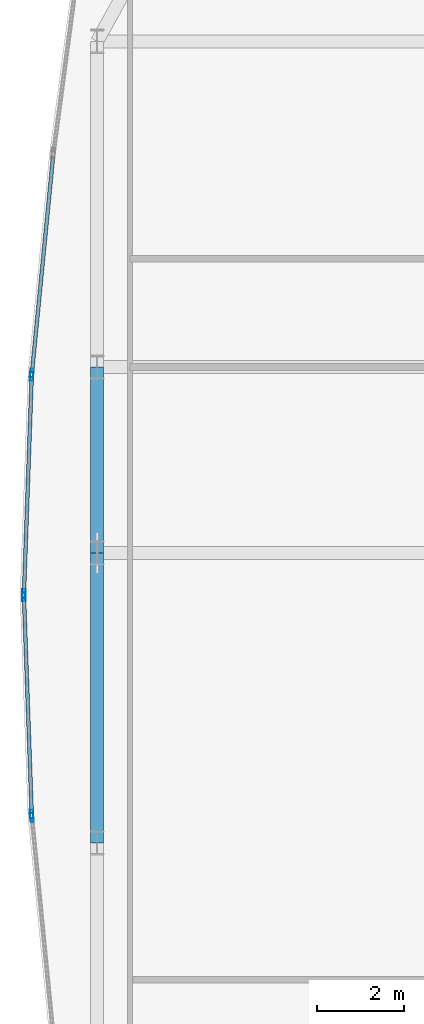
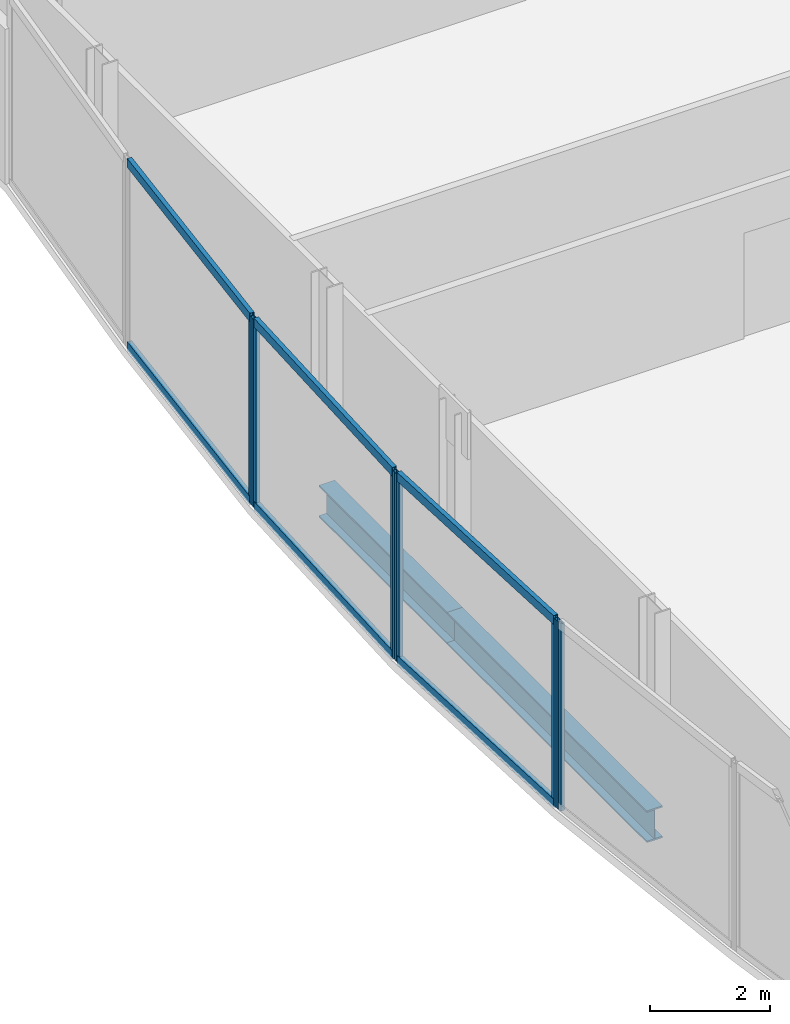
# One storey, part 10 of 35: 12 members, 2 beams, 4 elements without a shape of their own.
"""IFC4 building model written with IfcOpenShell, lengths in metres."""

from ifc_helpers import new_model, si_unit, direction, frame, origin, origin_2d, place, context, subcontext, project, spatial, hollow_rectangle, i_section, extrude, material, material_profile, profile_set, type_object, element, aggregate, save


model = new_model("IFC4")

# Units and contexts
model_context = context("Model", 3, precision=1e-05, world=origin(), true_north=direction((0.0, 1.0)))
body_context = subcontext(model_context, "Body", "Model", "MODEL_VIEW")
ifc_project = project(units=[si_unit("LENGTHUNIT", "METRE"), si_unit("AREAUNIT", "SQUARE_METRE"), si_unit("VOLUMEUNIT", "CUBIC_METRE"), si_unit("PLANEANGLEUNIT", "RADIAN"), si_unit("MASSUNIT", "GRAM", prefix="KILO")], contexts=[model_context])

# Site, building, storey
site_placement = place(None, origin())
site = spatial("IfcSite", under=ifc_project, at=site_placement, CompositionType="ELEMENT")
building_placement = place(site_placement, origin())
building = spatial("IfcBuilding", under=site, at=building_placement, Name="Khoronbel Lancet Exchange", CompositionType="ELEMENT")
storey_placement = place(building_placement, frame((0.0, 0.0, 69.800048828125)))
storey = spatial("IfcBuildingStorey", under=building, at=storey_placement, Name="L16", CompositionType="ELEMENT", Elevation=69.800048828125)

# Beams
ifc_material_1 = material(Name="Steel S355", Category="steel")
ifc_material_profile_1 = material_profile(ifc_material_1, i_section(OverallWidth=0.300048828125, OverallDepth=0.64990234375, WebThickness=0.01611328125, FlangeThickness=0.031005859375, at=origin_2d()), Name="HEB 650")
ifc_profile_set_1 = profile_set([ifc_material_profile_1], Name="Steel S355")
beam_type = type_object("IfcBeamType", Name="BM-BSP1", PredefinedType="SPANDREL", material=ifc_profile_set_1)
beam_1_placement = place(storey_placement, frame((1.27001953125, 35.699951171875, -0.505126953125), z_axis=(0.0, -1.0, 0.0), x_axis=(1.0, 0.0, 0.0)))
element("IfcBeam", 1, at=beam_1_placement, inside=storey, type_object=beam_type, Name="Level L16 perimeter spandrel beam SP18", PredefinedType="SPANDREL", context=body_context, shape_type="SweptSolid", body=[
    extrude(i_section(OverallWidth=0.300048828125, OverallDepth=0.64990234375, WebThickness=0.01611328125, FlangeThickness=0.031005859375, at=origin_2d()), origin(), (0.0, 0.0, 1.0), 4.27490234375),
])
beam_2_placement = place(storey_placement, frame((1.27001953125, 31.425048828125, -0.505126953125), z_axis=(0.0, -1.0, 0.0), x_axis=(1.0, 0.0, 0.0)))
element("IfcBeam", 2, at=beam_2_placement, inside=storey, type_object=beam_type, Name="Level L16 perimeter spandrel beam SP19", PredefinedType="SPANDREL", context=body_context, shape_type="SweptSolid", body=[
    extrude(i_section(OverallWidth=0.300048828125, OverallDepth=0.64990234375, WebThickness=0.01611328125, FlangeThickness=0.031005859375, at=origin_2d()), origin(), (0.0, 0.0, 1.0), 6.675048828125),
])

# Curtain wall, member
ifc_material_2 = material(Name="Low-E Solar Control Insulating Glass", Category="glass")
curtain_wall_type = type_object("IfcCurtainWallType", Name="CW-4", PredefinedType="NOTDEFINED", material=ifc_material_2)
curtain_wall_1_placement = place(storey_placement, origin())
curtain_wall_1 = element("IfcCurtainWall", 3, at=curtain_wall_1_placement, inside=storey, type_object=curtain_wall_type, Name="Unitised curtain wall CW-L16-E05", PredefinedType="NOTDEFINED")
ifc_material_3 = material(Name="Bronze-Anodised Aluminium 6063-T6", Category="aluminium")
ifc_material_profile_2 = material_profile(ifc_material_3, hollow_rectangle(XDim=0.074951171875, YDim=0.199951171875, WallThickness=0.0048828125, at=origin_2d()), Name="ALU MULLION 75x200")
ifc_profile_set_2 = profile_set([ifc_material_profile_2], Name="Bronze-Anodised Aluminium 6063-T6")
member_type_1 = type_object("IfcMemberType", Name="MEM-CWM2", PredefinedType="MULLION", material=ifc_profile_set_2)
member_1_placement = place(storey_placement, frame((-0.23046875, 25.33544921875, 0.0), z_axis=(0.0, 0.0, 1.0), x_axis=(-0.995271261573, -0.097134524689, 0.0)))
member_1 = element("IfcMember", 4, at=member_1_placement, type_object=member_type_1, Name="CW4 mullion 2", PredefinedType="MULLION", context=body_context, shape_type="SweptSolid", body=[
    extrude(hollow_rectangle(XDim=0.074951171875, YDim=0.199951171875, WallThickness=0.0048828125, at=origin_2d()), origin(), (0.0, 0.0, 1.0), 3.820068359375),
])
aggregate(curtain_wall_1, [member_1])

# Curtain wall, members
curtain_wall_2_placement = place(storey_placement, origin())
curtain_wall_2 = element("IfcCurtainWall", 5, at=curtain_wall_2_placement, inside=storey, type_object=curtain_wall_type, Name="Unitised curtain wall CW-L16-E06", PredefinedType="NOTDEFINED")
member_2_placement = place(storey_placement, frame((-0.2353515625, 25.41015625, 0.0), z_axis=(0.0, 0.0, 1.0), x_axis=(-0.999363079992, -0.035685211912, 0.0)))
member_2 = element("IfcMember", 6, at=member_2_placement, type_object=member_type_1, Name="CW4 mullion 1", PredefinedType="MULLION", context=body_context, shape_type="SweptSolid", body=[
    extrude(hollow_rectangle(XDim=0.074951171875, YDim=0.199951171875, WallThickness=0.0048828125, at=origin_2d()), origin(), (0.0, 0.0, 1.0), 3.820068359375),
])
member_3_placement = place(storey_placement, frame((-0.4140625, 30.41259765625, 0.0), z_axis=(0.0, 0.0, 1.0), x_axis=(-0.999363079992, -0.035685211912, 0.0)))
member_3 = element("IfcMember", 7, at=member_3_placement, type_object=member_type_1, Name="CW4 mullion 2", PredefinedType="MULLION", context=body_context, shape_type="SweptSolid", body=[
    extrude(hollow_rectangle(XDim=0.074951171875, YDim=0.199951171875, WallThickness=0.0048828125, at=origin_2d()), origin(), (0.0, 0.0, 1.0), 3.820068359375),
])

curtain_wall_3_placement = place(storey_placement, origin())
curtain_wall_3 = element("IfcCurtainWall", 8, at=curtain_wall_3_placement, inside=storey, type_object=curtain_wall_type, Name="Unitised curtain wall CW-L16-E07", PredefinedType="NOTDEFINED")
member_4_placement = place(storey_placement, frame((-0.4140625, 30.487548828125, 0.0), z_axis=(0.0, 0.0, 1.0), x_axis=(-0.999363079992, 0.035685211912, 0.0)))
member_4 = element("IfcMember", 9, at=member_4_placement, type_object=member_type_1, Name="CW4 mullion 1", PredefinedType="MULLION", context=body_context, shape_type="SweptSolid", body=[
    extrude(hollow_rectangle(XDim=0.074951171875, YDim=0.199951171875, WallThickness=0.0048828125, at=origin_2d()), origin(), (0.0, 0.0, 1.0), 3.820068359375),
])
member_5_placement = place(storey_placement, frame((-0.2353515625, 35.48974609375, 0.0), z_axis=(0.0, 0.0, 1.0), x_axis=(-0.999363079992, 0.035685211912, 0.0)))
member_5 = element("IfcMember", 10, at=member_5_placement, type_object=member_type_1, Name="CW4 mullion 2", PredefinedType="MULLION", context=body_context, shape_type="SweptSolid", body=[
    extrude(hollow_rectangle(XDim=0.074951171875, YDim=0.199951171875, WallThickness=0.0048828125, at=origin_2d()), origin(), (0.0, 0.0, 1.0), 3.820068359375),
])

# Curtain wall, member
curtain_wall_4_placement = place(storey_placement, origin())
curtain_wall_4 = element("IfcCurtainWall", 11, at=curtain_wall_4_placement, inside=storey, type_object=curtain_wall_type, Name="Unitised curtain wall CW-L16-E08", PredefinedType="NOTDEFINED")
member_6_placement = place(storey_placement, frame((-0.23046875, 35.564697265625, 0.0), z_axis=(0.0, 0.0, 1.0), x_axis=(-0.995271261573, 0.097134524689, 0.0)))
member_6 = element("IfcMember", 12, at=member_6_placement, type_object=member_type_1, Name="CW4 mullion 1", PredefinedType="MULLION", context=body_context, shape_type="SweptSolid", body=[
    extrude(hollow_rectangle(XDim=0.074951171875, YDim=0.199951171875, WallThickness=0.0048828125, at=origin_2d()), origin(), (0.0, 0.0, 1.0), 3.820068359375),
])

# Member
ifc_material_profile_3 = material_profile(ifc_material_3, hollow_rectangle(XDim=0.0849609375, YDim=0.179931640625, WallThickness=0.0048828125, at=origin_2d()), Name="ALU TRANSOM 85x180")
ifc_profile_set_3 = profile_set([ifc_material_profile_3], Name="Bronze-Anodised Aluminium 6063-T6")
member_type_2 = type_object("IfcMemberType", Name="MEM-CWT1", PredefinedType="USERDEFINED", material=ifc_profile_set_3)
member_7_placement = place(storey_placement, frame((-0.236572265625, 25.44775390625, 0.04248046875), z_axis=(-0.035702127889, 0.999362475814, 0.0), x_axis=(-0.999362475814, -0.035702127889, 0.0)))
member_7 = element("IfcMember", 13, at=member_7_placement, type_object=member_type_2, Name="CW4 transom 1.1", ObjectType="TRANSOM", PredefinedType="USERDEFINED", context=body_context, shape_type="SweptSolid", body=[
    extrude(hollow_rectangle(XDim=0.0849609375, YDim=0.179931640625, WallThickness=0.0048828125, at=origin_2d()), origin(), (0.0, 0.0, 1.0), 4.930419921875),
])

member_8_placement = place(storey_placement, frame((-0.236572265625, 25.44775390625, 3.77734375), z_axis=(-0.035702127889, 0.999362475814, 0.0), x_axis=(-0.999362475814, -0.035702127889, 0.0)))
member_8 = element("IfcMember", 14, at=member_8_placement, type_object=member_type_2, Name="CW4 transom 1.2", ObjectType="TRANSOM", PredefinedType="USERDEFINED", context=body_context, shape_type="SweptSolid", body=[
    extrude(hollow_rectangle(XDim=0.0849609375, YDim=0.179931640625, WallThickness=0.0048828125, at=origin_2d()), origin(), (0.0, 0.0, 1.0), 4.930419921875),
])

aggregate(curtain_wall_2, [member_2, member_3, member_7, member_8])

member_9_placement = place(storey_placement, frame((-0.41259765625, 30.52490234375, 0.04248046875), z_axis=(0.035700361223, 0.999362538926, 0.0), x_axis=(-0.999362538926, 0.035700361223, 0.0)))
member_9 = element("IfcMember", 15, at=member_9_placement, type_object=member_type_2, Name="CW4 transom 1.1", ObjectType="TRANSOM", PredefinedType="USERDEFINED", context=body_context, shape_type="SweptSolid", body=[
    extrude(hollow_rectangle(XDim=0.0849609375, YDim=0.179931640625, WallThickness=0.0048828125, at=origin_2d()), origin(), (0.0, 0.0, 1.0), 4.9306640625),
])

member_10_placement = place(storey_placement, frame((-0.41259765625, 30.52490234375, 3.77734375), z_axis=(0.035700361223, 0.999362538926, 0.0), x_axis=(-0.999362538926, 0.035700361223, 0.0)))
member_10 = element("IfcMember", 16, at=member_10_placement, type_object=member_type_2, Name="CW4 transom 1.2", ObjectType="TRANSOM", PredefinedType="USERDEFINED", context=body_context, shape_type="SweptSolid", body=[
    extrude(hollow_rectangle(XDim=0.0849609375, YDim=0.179931640625, WallThickness=0.0048828125, at=origin_2d()), origin(), (0.0, 0.0, 1.0), 4.9306640625),
])

aggregate(curtain_wall_3, [member_4, member_5, member_9, member_10])

member_11_placement = place(storey_placement, frame((-0.226806640625, 35.60205078125, 0.04248046875), z_axis=(0.097151171458, 0.995269636774, 0.0), x_axis=(-0.995269636774, 0.097151171458, 0.0)))
member_11 = element("IfcMember", 17, at=member_11_placement, type_object=member_type_2, Name="CW4 transom 1.1", ObjectType="TRANSOM", PredefinedType="USERDEFINED", context=body_context, shape_type="SweptSolid", body=[
    extrude(hollow_rectangle(XDim=0.0849609375, YDim=0.179931640625, WallThickness=0.0048828125, at=origin_2d()), origin(), (0.0, 0.0, 1.0), 4.953125),
])

member_12_placement = place(storey_placement, frame((-0.226806640625, 35.60205078125, 3.77734375), z_axis=(0.097151171458, 0.995269636774, 0.0), x_axis=(-0.995269636774, 0.097151171458, 0.0)))
member_12 = element("IfcMember", 18, at=member_12_placement, type_object=member_type_2, Name="CW4 transom 1.2", ObjectType="TRANSOM", PredefinedType="USERDEFINED", context=body_context, shape_type="SweptSolid", body=[
    extrude(hollow_rectangle(XDim=0.0849609375, YDim=0.179931640625, WallThickness=0.0048828125, at=origin_2d()), origin(), (0.0, 0.0, 1.0), 4.953125),
])

aggregate(curtain_wall_4, [member_6, member_11, member_12])

save(model, "model.ifc")
